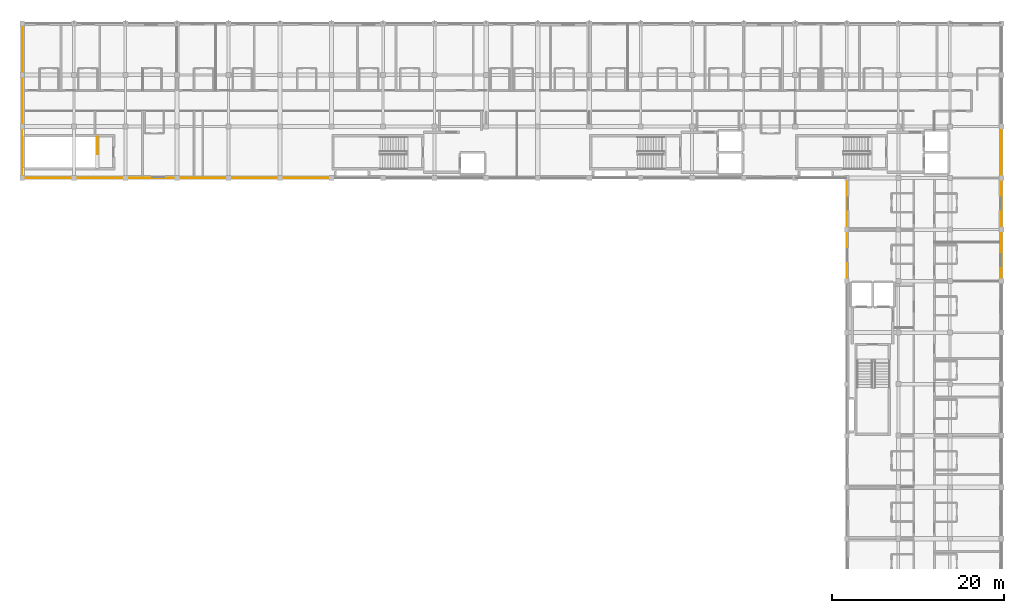
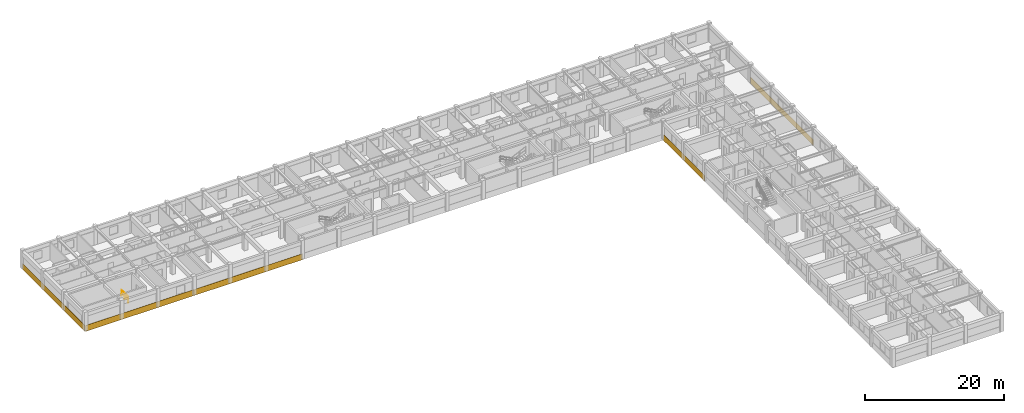
# One storey, part 18 of 21: 5 coverings, 1 railing.
"""IFC4 building model written with IfcOpenShell, lengths in metres."""

from ifc_helpers import new_model, si_unit, direction, frame, origin, origin_2d, place, context, subcontext, project, spatial, polyline, circle, outline, extrude, material, layer, layer_set, type_object, element, save


model = new_model("IFC4")

# Units and contexts
model_context = context("Model", 3, precision=1e-05, world=origin(), true_north=direction((0.0, 1.0)))
body_context = subcontext(model_context, "Body", "Model", "MODEL_VIEW")
ifc_project = project(units=[si_unit("LENGTHUNIT", "METRE"), si_unit("AREAUNIT", "SQUARE_METRE"), si_unit("VOLUMEUNIT", "CUBIC_METRE"), si_unit("PLANEANGLEUNIT", "RADIAN"), si_unit("MASSUNIT", "GRAM", prefix="KILO"), si_unit("THERMODYNAMICTEMPERATUREUNIT", "KELVIN"), si_unit("POWERUNIT", "WATT")], contexts=[model_context])

# Site, building, storey
site_placement = place(None, origin())
site = spatial("IfcSite", under=ifc_project, at=site_placement, CompositionType="ELEMENT")
building_placement = place(site_placement, origin())
building = spatial("IfcBuilding", under=site, at=building_placement, Name="Phaisarnlok Congress Hotel", CompositionType="ELEMENT")
storey_placement = place(building_placement, frame((0.0, 0.0, 34.800048828125)))
storey = spatial("IfcBuildingStorey", under=building, at=storey_placement, Name="L08", CompositionType="ELEMENT", Elevation=34.800048828125)

# Coverings
ifc_material_1 = material(Name="Anodised Silver Aluminium Alloy 6063-T6", Category="aluminium")
ifc_layer = layer(ifc_material_1, 0.031982421875, Name="Anodised Silver Aluminium Alloy 6063-T6")
ifc_layer_set = layer_set([ifc_layer], Name="Anodised Silver Aluminium Alloy 6063-T6")
covering_type = type_object("IfcCoveringType", Name="COV-SPAND-ALU", PredefinedType="CLADDING", material=ifc_layer_set)
for number, where, z_axis, x_axis, name in (
    (1, (179.9951171875, 96.06005859375, -0.280029296875), (1.0, 0.0, 0.0), (0.0, 1.0, 0.0), "Swiss minimalist anodised silver rainscreen band CL-02 (L08 E)"),
    (2, (66.06005859375, 108.0048828125, -0.280029296875), (0.0, -1.0, 0.0), (1.0, 0.0, 0.0), "Swiss minimalist anodised silver rainscreen band CL-02 (L08 S)"),
    (3, (84.06005859375, 108.0048828125, -0.280029296875), (0.0, -1.0, 0.0), (1.0, 0.0, 0.0), "Swiss minimalist anodised silver rainscreen band CL-02 (L08 S)"),
):
    element("IfcCovering", number, at=place(storey_placement, frame(where, z_axis=z_axis, x_axis=x_axis)), inside=storey, type_object=covering_type, Name=name, PredefinedType="CLADDING", context=body_context, shape_type="SweptSolid", body=[
        extrude(outline(polyline([(0.0, 0.0), (18.0, 0.0), (18.0, 1.050048828125), (0.0, 1.050048828125), (0.0, 0.0)])), origin(), (0.0, 0.0, 1.0), 0.031982421875),
    ])
covering_1_placement = place(storey_placement, frame((162.0048828125, 107.93994140625, -0.280029296875), z_axis=(-1.0, 0.0, 0.0), x_axis=(0.0, -1.0, 0.0)))
element("IfcCovering", 4, at=covering_1_placement, inside=storey, type_object=covering_type, Name="Swiss minimalist anodised silver rainscreen band CL-02 (L08 W)", PredefinedType="CLADDING", context=body_context, shape_type="SweptSolid", body=[
    extrude(outline(polyline([(0.0, 0.0), (11.8798828125, 0.0), (11.8798828125, 1.050048828125), (0.0, 1.050048828125), (0.0, 0.0)])), origin(), (0.0, 0.0, 1.0), 0.031982421875),
])
covering_2_placement = place(storey_placement, frame((66.0048828125, 125.93994140625, -0.280029296875), z_axis=(-1.0, 0.0, 0.0), x_axis=(0.0, -1.0, 0.0)))
element("IfcCovering", 5, at=covering_2_placement, inside=storey, type_object=covering_type, Name="Swiss minimalist anodised silver rainscreen band CL-02 (L08 WG)", PredefinedType="CLADDING", context=body_context, shape_type="SweptSolid", body=[
    extrude(outline(polyline([(0.0, 0.0), (17.8798828125, 0.0), (17.8798828125, 1.050048828125), (0.0, 1.050048828125), (0.0, 0.0)])), origin(), (0.0, 0.0, 1.0), 0.031982421875),
])

# Railing
ifc_material_2 = material(Name="Painted Galvanised Steel S275", Category="steel")
railing_type = type_object("IfcRailingType", Name="RLG-STR-GUARD", PredefinedType="BALUSTRADE", material=ifc_material_2)
railing_placement = place(storey_placement, frame((74.77001953125, 112.800048828125, 0.0)))
element("IfcRailing", 6, at=railing_placement, inside=storey, type_object=railing_type, Name="L08 ST-10 top well guard 1", PredefinedType="BALUSTRADE", context=body_context, shape_type="SweptSolid", body=[
    extrude(circle(Radius=0.02392578125, at=origin_2d()), frame((0.0, 0.0, 1.076171875), z_axis=(0.0, -1.0, 0.0), x_axis=(1.0, 0.0, 0.0)), (0.0, 0.0, 1.0), 2.02001953125),
    extrude(circle(Radius=0.02392578125, at=origin_2d()), frame((0.0, 0.0, 0.52587890625), z_axis=(0.0, -1.0, 0.0), x_axis=(1.0, 0.0, 0.0)), (0.0, 0.0, 1.0), 2.02001953125),
    extrude(circle(Radius=0.02099609375, at=origin_2d()), origin(), (0.0, 0.0, 1.0), 1.052001953125),
    extrude(circle(Radius=0.02099609375, at=origin_2d()), frame((0.0, -1.010009765625, 0.0)), (0.0, 0.0, 1.0), 1.052001953125),
    extrude(circle(Radius=0.02099609375, at=origin_2d()), frame((0.0, -2.02001953125, 0.0)), (0.0, 0.0, 1.0), 1.052001953125),
])

save(model, "model.ifc")
